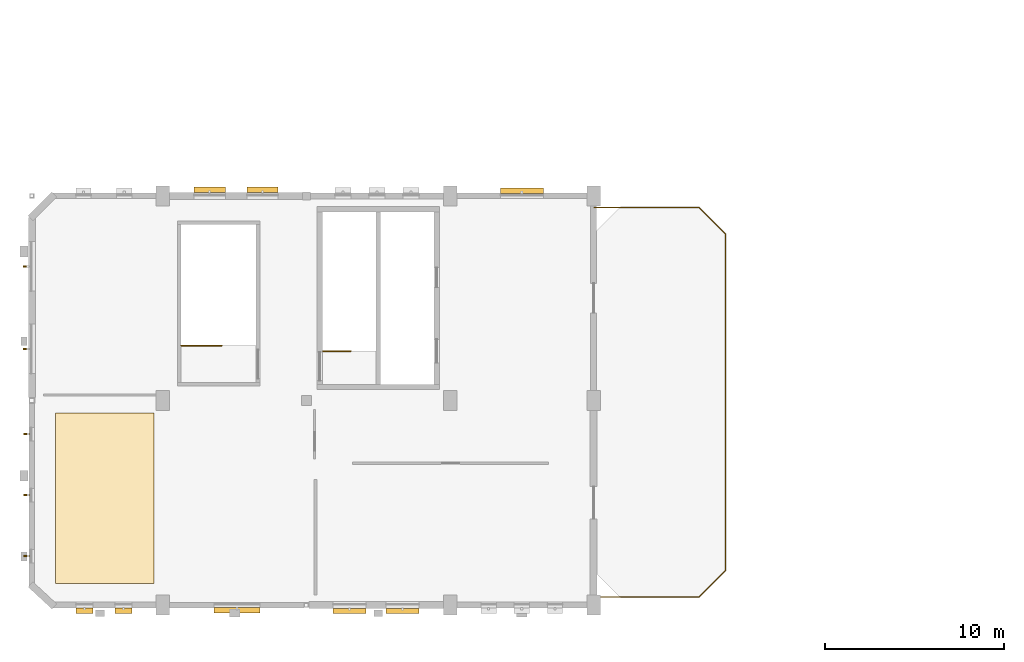
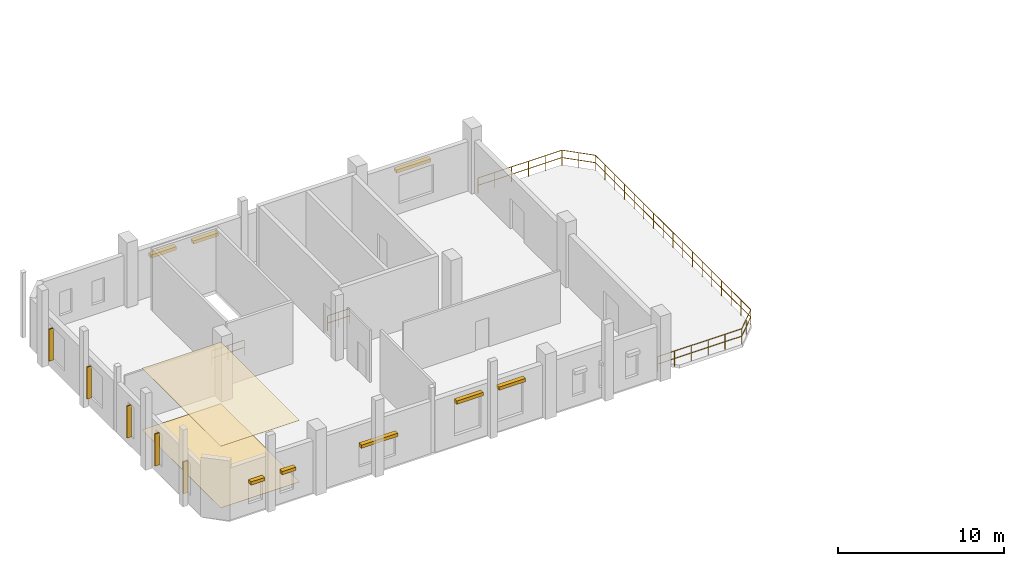
# One storey, part 27 of 28: 13 shading devices, 3 railings, 2 coverings.
"""IFC4 building model written with IfcOpenShell, lengths in metres."""

from ifc_helpers import new_model, si_unit, direction, frame, origin, origin_2d, place, context, subcontext, project, spatial, polyline, rectangle, circle, outline, extrude, material, layer, layer_set, type_object, element, save


model = new_model("IFC4")

# Units and contexts
model_context = context("Model", 3, precision=1e-05, world=origin(), true_north=direction((0.0, 1.0)))
body_context = subcontext(model_context, "Body", "Model", "MODEL_VIEW")
ifc_project = project(units=[si_unit("LENGTHUNIT", "METRE"), si_unit("AREAUNIT", "SQUARE_METRE"), si_unit("VOLUMEUNIT", "CUBIC_METRE"), si_unit("PLANEANGLEUNIT", "RADIAN"), si_unit("MASSUNIT", "GRAM", prefix="KILO"), si_unit("POWERUNIT", "WATT"), si_unit("THERMODYNAMICTEMPERATUREUNIT", "KELVIN")], contexts=[model_context])

# Site, building, storey
site_placement = place(None, origin())
site = spatial("IfcSite", under=ifc_project, at=site_placement, CompositionType="ELEMENT")
building_placement = place(site_placement, origin())
building = spatial("IfcBuilding", under=site, at=building_placement, Name="Kelmbourne Parkland Aquatics Centre", CompositionType="ELEMENT")
storey_placement = place(building_placement, frame((0.0, 0.0, 19.199951171875)))
storey = spatial("IfcBuildingStorey", under=building, at=storey_placement, Name="L04", CompositionType="ELEMENT", Elevation=19.199951171875)

# Coverings
ifc_material_1 = material(Name="Moisture-resistant acoustic mineral-fibre baffle ceiling", Category="gypsum")
ifc_layer_1 = layer(ifc_material_1, 0.02490234375)
ifc_layer_set_1 = layer_set([ifc_layer_1], Name="Moisture-resistant acoustic mineral-fibre baffle ceiling")
covering_type_1 = type_object("IfcCoveringType", Name="COV-CLG-AC", PredefinedType="CEILING", material=ifc_layer_set_1)
covering_1_placement = place(storey_placement, frame((0.0, 0.0, 4.53515625)))
element("IfcCovering", 1, at=covering_1_placement, inside=storey, type_object=covering_type_1, Name="FireCommand acoustic ceiling baffles", PredefinedType="CEILING", context=body_context, shape_type="SweptSolid", body=[
    extrude(outline(polyline([(2.0, 2.0), (7.5, 2.0), (7.5, 11.5), (2.0, 11.5), (2.0, 2.0)])), origin(), (0.0, 0.0, 1.0), 0.02490234375),
])
ifc_material_2 = material(Name="Anti-slip vitrified ceramic aquatic deck tile", Category="ceramic")
ifc_layer_2 = layer(ifc_material_2, 0.02001953125)
ifc_layer_set_2 = layer_set([ifc_layer_2], Name="Anti-slip vitrified ceramic aquatic deck tile")
covering_type_2 = type_object("IfcCoveringType", Name="COV-FLR-TILE", PredefinedType="FLOORING", material=ifc_layer_set_2)
covering_2_placement = place(storey_placement, origin())
element("IfcCovering", 2, at=covering_2_placement, inside=storey, type_object=covering_type_2, Name="FireCommand anti-slip floor tiling", PredefinedType="FLOORING", context=body_context, shape_type="SweptSolid", body=[
    extrude(outline(polyline([(2.0, 2.0), (7.5, 2.0), (7.5, 11.5), (2.0, 11.5), (2.0, 2.0)])), origin(), (0.0, 0.0, 1.0), 0.02001953125),
])

# Railings
ifc_material_3 = material(Name="Grade 316 stainless steel and laminated glass balustrade", Category="glass")
ifc_layer_3 = layer(ifc_material_3, 0.06005859375)
ifc_layer_set_3 = layer_set([ifc_layer_3], Name="Grade 316 stainless steel and laminated glass balustrade")
railing_type_1 = type_object("IfcRailingType", Name="RL-BL-114", PredefinedType="BALUSTRADE", material=ifc_layer_set_3)
railing_1_placement = place(storey_placement, frame((32.02001953125, 1.25, 0.0)))
element("IfcRailing", 3, at=railing_1_placement, inside=storey, type_object=railing_type_1, Name="Safety balustrade BAL-TER-L04-V5", PredefinedType="BALUSTRADE", context=body_context, shape_type="SweptSolid", body=[
    extrude(circle(Radius=0.02392578125, at=origin_2d()), frame((0.0, 0.0, 1.11572265625), z_axis=(1.0, 0.0, 0.0), x_axis=(0.0, 1.0, 0.0)), (0.0, 0.0, 1.0), 5.85986328125),
    extrude(circle(Radius=0.02392578125, at=origin_2d()), frame((0.0, 0.0, 0.56982421875), z_axis=(1.0, 0.0, 0.0), x_axis=(0.0, 1.0, 0.0)), (0.0, 0.0, 1.0), 5.85986328125),
    extrude(circle(Radius=0.02392578125, at=origin_2d()), frame((5.85986328125, 0.0, 1.11572265625), z_axis=(0.707165493918, 0.70704806358, 0.0), x_axis=(-0.70704806358, 0.707165493918, 0.0)), (0.0, 0.0, 1.0), 2.0791015625),
    extrude(circle(Radius=0.02392578125, at=origin_2d()), frame((5.85986328125, 0.0, 0.56982421875), z_axis=(0.707165493918, 0.70704806358, 0.0), x_axis=(-0.70704806358, 0.707165493918, 0.0)), (0.0, 0.0, 1.0), 2.0791015625),
    extrude(circle(Radius=0.02392578125, at=origin_2d()), frame((7.330078125, 1.469970703125, 1.11572265625), z_axis=(0.0, 1.0, 0.0), x_axis=(-1.0, 0.0, 0.0)), (0.0, 0.0, 1.0), 18.760009765625),
    extrude(circle(Radius=0.02392578125, at=origin_2d()), frame((7.330078125, 1.469970703125, 0.56982421875), z_axis=(0.0, 1.0, 0.0), x_axis=(-1.0, 0.0, 0.0)), (0.0, 0.0, 1.0), 18.760009765625),
    extrude(circle(Radius=0.02392578125, at=origin_2d()), frame((7.330078125, 20.22998046875, 1.11572265625), z_axis=(-0.707165493918, 0.70704806358, 0.0), x_axis=(-0.70704806358, -0.707165493918, 0.0)), (0.0, 0.0, 1.0), 2.0791015625),
    extrude(circle(Radius=0.02392578125, at=origin_2d()), frame((7.330078125, 20.22998046875, 0.56982421875), z_axis=(-0.707165493918, 0.70704806358, 0.0), x_axis=(-0.70704806358, -0.707165493918, 0.0)), (0.0, 0.0, 1.0), 2.0791015625),
    extrude(circle(Radius=0.02392578125, at=origin_2d()), frame((5.85986328125, 21.699951171875, 1.11572265625), z_axis=(-1.0, 0.0, 0.0), x_axis=(0.0, -1.0, 0.0)), (0.0, 0.0, 1.0), 5.85986328125),
    extrude(circle(Radius=0.02392578125, at=origin_2d()), frame((5.85986328125, 21.699951171875, 0.56982421875), z_axis=(-1.0, 0.0, 0.0), x_axis=(0.0, -1.0, 0.0)), (0.0, 0.0, 1.0), 5.85986328125),
    extrude(circle(Radius=0.02099609375, at=origin_2d()), origin(), (0.0, 0.0, 1.0), 1.091796875),
    extrude(circle(Radius=0.02099609375, at=origin_2d()), frame((1.171875, 0.0, 0.0)), (0.0, 0.0, 1.0), 1.091796875),
    extrude(circle(Radius=0.02099609375, at=origin_2d()), frame((2.343994140625, 0.0, 0.0)), (0.0, 0.0, 1.0), 1.091796875),
    extrude(circle(Radius=0.02099609375, at=origin_2d()), frame((3.515869140625, 0.0, 0.0)), (0.0, 0.0, 1.0), 1.091796875),
    extrude(circle(Radius=0.02099609375, at=origin_2d()), frame((4.68798828125, 0.0, 0.0)), (0.0, 0.0, 1.0), 1.091796875),
    extrude(circle(Radius=0.02099609375, at=origin_2d()), frame((5.85986328125, 0.0, 0.0)), (0.0, 0.0, 1.0), 1.091796875),
    extrude(circle(Radius=0.02099609375, at=origin_2d()), frame((6.594970703125, 0.73486328125, 0.0)), (0.0, 0.0, 1.0), 1.091796875),
    extrude(circle(Radius=0.02099609375, at=origin_2d()), frame((7.330078125, 1.469970703125, 0.0)), (0.0, 0.0, 1.0), 1.091796875),
    extrude(circle(Radius=0.02099609375, at=origin_2d()), frame((7.330078125, 2.642578125, 0.0)), (0.0, 0.0, 1.0), 1.091796875),
    extrude(circle(Radius=0.02099609375, at=origin_2d()), frame((7.330078125, 3.81494140625, 0.0)), (0.0, 0.0, 1.0), 1.091796875),
    extrude(circle(Radius=0.02099609375, at=origin_2d()), frame((7.330078125, 4.987548828125, 0.0)), (0.0, 0.0, 1.0), 1.091796875),
    extrude(circle(Radius=0.02099609375, at=origin_2d()), frame((7.330078125, 6.159912109375, 0.0)), (0.0, 0.0, 1.0), 1.091796875),
    extrude(circle(Radius=0.02099609375, at=origin_2d()), frame((7.330078125, 7.33251953125, 0.0)), (0.0, 0.0, 1.0), 1.091796875),
    extrude(circle(Radius=0.02099609375, at=origin_2d()), frame((7.330078125, 8.5048828125, 0.0)), (0.0, 0.0, 1.0), 1.091796875),
    extrude(circle(Radius=0.02099609375, at=origin_2d()), frame((7.330078125, 9.677490234375, 0.0)), (0.0, 0.0, 1.0), 1.091796875),
    extrude(circle(Radius=0.02099609375, at=origin_2d()), frame((7.330078125, 10.85009765625, 0.0)), (0.0, 0.0, 1.0), 1.091796875),
    extrude(circle(Radius=0.02099609375, at=origin_2d()), frame((7.330078125, 12.0224609375, 0.0)), (0.0, 0.0, 1.0), 1.091796875),
    extrude(circle(Radius=0.02099609375, at=origin_2d()), frame((7.330078125, 13.195068359375, 0.0)), (0.0, 0.0, 1.0), 1.091796875),
    extrude(circle(Radius=0.02099609375, at=origin_2d()), frame((7.330078125, 14.367431640625, 0.0)), (0.0, 0.0, 1.0), 1.091796875),
    extrude(circle(Radius=0.02099609375, at=origin_2d()), frame((7.330078125, 15.5400390625, 0.0)), (0.0, 0.0, 1.0), 1.091796875),
    extrude(circle(Radius=0.02099609375, at=origin_2d()), frame((7.330078125, 16.71240234375, 0.0)), (0.0, 0.0, 1.0), 1.091796875),
    extrude(circle(Radius=0.02099609375, at=origin_2d()), frame((7.330078125, 17.885009765625, 0.0)), (0.0, 0.0, 1.0), 1.091796875),
    extrude(circle(Radius=0.02099609375, at=origin_2d()), frame((7.330078125, 19.057373046875, 0.0)), (0.0, 0.0, 1.0), 1.091796875),
    extrude(circle(Radius=0.02099609375, at=origin_2d()), frame((7.330078125, 20.22998046875, 0.0)), (0.0, 0.0, 1.0), 1.091796875),
    extrude(circle(Radius=0.02099609375, at=origin_2d()), frame((6.594970703125, 20.96484375, 0.0)), (0.0, 0.0, 1.0), 1.091796875),
    extrude(circle(Radius=0.02099609375, at=origin_2d()), frame((5.85986328125, 21.699951171875, 0.0)), (0.0, 0.0, 1.0), 1.091796875),
    extrude(circle(Radius=0.02099609375, at=origin_2d()), frame((4.68798828125, 21.699951171875, 0.0)), (0.0, 0.0, 1.0), 1.091796875),
    extrude(circle(Radius=0.02099609375, at=origin_2d()), frame((3.515869140625, 21.699951171875, 0.0)), (0.0, 0.0, 1.0), 1.091796875),
    extrude(circle(Radius=0.02099609375, at=origin_2d()), frame((2.343994140625, 21.699951171875, 0.0)), (0.0, 0.0, 1.0), 1.091796875),
    extrude(circle(Radius=0.02099609375, at=origin_2d()), frame((1.171875, 21.699951171875, 0.0)), (0.0, 0.0, 1.0), 1.091796875),
    extrude(circle(Radius=0.02099609375, at=origin_2d()), frame((0.0, 21.699951171875, 0.0)), (0.0, 0.0, 1.0), 1.091796875),
])
ifc_material_4 = material(Name="Grade 316 marine stainless steel", Category="steel")
railing_type_2 = type_object("IfcRailingType", Name="RL-GD-112", PredefinedType="GUARDRAIL", material=ifc_material_4)
railing_2_placement = place(storey_placement, frame((16.919921875, 14.949951171875, 0.0)))
element("IfcRailing", 4, at=railing_2_placement, inside=storey, type_object=railing_type_2, Name="West Wing South Fire-Fighting Core Stair ST01 top well guardrail", PredefinedType="GUARDRAIL", context=body_context, shape_type="SweptSolid", body=[
    extrude(circle(Radius=0.02392578125, at=origin_2d()), frame((0.0, 0.0, 1.09619140625), z_axis=(1.0, 0.0, 0.0), x_axis=(0.0, 1.0, 0.0)), (0.0, 0.0, 1.0), 1.547607421875),
    extrude(circle(Radius=0.02392578125, at=origin_2d()), frame((0.0, 0.0, 0.56005859375), z_axis=(1.0, 0.0, 0.0), x_axis=(0.0, 1.0, 0.0)), (0.0, 0.0, 1.0), 1.547607421875),
    extrude(circle(Radius=0.02099609375, at=origin_2d()), origin(), (0.0, 0.0, 1.0), 1.072021484375),
    extrude(circle(Radius=0.02099609375, at=origin_2d()), frame((0.77392578125, 0.0, 0.0)), (0.0, 0.0, 1.0), 1.072021484375),
    extrude(circle(Radius=0.02099609375, at=origin_2d()), frame((1.547607421875, 0.0, 0.0)), (0.0, 0.0, 1.0), 1.072021484375),
])
railing_3_placement = place(storey_placement, frame((9.02001953125, 15.25, 0.0)))
element("IfcRailing", 5, at=railing_3_placement, inside=storey, type_object=railing_type_2, Name="West South Perimeter Exit Stair top well guardrail", PredefinedType="GUARDRAIL", context=body_context, shape_type="SweptSolid", body=[
    extrude(circle(Radius=0.02392578125, at=origin_2d()), frame((0.0, 0.0, 1.09619140625), z_axis=(1.0, 0.0, 0.0), x_axis=(0.0, 1.0, 0.0)), (0.0, 0.0, 1.0), 2.260009765625),
    extrude(circle(Radius=0.02392578125, at=origin_2d()), frame((0.0, 0.0, 0.56005859375), z_axis=(1.0, 0.0, 0.0), x_axis=(0.0, 1.0, 0.0)), (0.0, 0.0, 1.0), 2.260009765625),
    extrude(circle(Radius=0.02099609375, at=origin_2d()), origin(), (0.0, 0.0, 1.0), 1.072021484375),
    extrude(circle(Radius=0.02099609375, at=origin_2d()), frame((1.1298828125, 0.0, 0.0)), (0.0, 0.0, 1.0), 1.072021484375),
    extrude(circle(Radius=0.02099609375, at=origin_2d()), frame((2.260009765625, 0.0, 0.0)), (0.0, 0.0, 1.0), 1.072021484375),
])

# Shading devices
ifc_material_5 = material(Name="Architectural extruded terracotta baguettes", Category="masonry")
shading_device_type_1 = type_object("IfcShadingDeviceType", Name="SHD-FIN-1", PredefinedType="USERDEFINED", material=ifc_material_5)
for number, where, z_axis, x_axis, name in (
    (6, (0.405029296875, 3.52490234375, 0.75), (0.0, 0.0, 1.0), (0.0, 1.0, 0.0), "Terracotta vertical solar fin 194"),
    (7, (0.405029296875, 6.924072265625, 0.75), (0.0, 0.0, 1.0), (0.0, 1.0, 0.0), "Terracotta vertical solar fin 195"),
    (8, (0.405029296875, 10.322998046875, 0.75), (0.0, 0.0, 1.0), (0.0, 1.0, 0.0), "Terracotta vertical solar fin 196"),
    (9, (0.364990234375, 15.076904296875, 0.75), (0.0, 0.0, 1.0), (0.0, 1.0, 0.0), "Terracotta vertical solar fin 197"),
    (10, (0.364990234375, 19.675048828125, 0.75), (0.0, 0.0, 1.0), (0.0, 1.0, 0.0), "Terracotta vertical solar fin 198"),
):
    element("IfcShadingDevice", number, at=place(storey_placement, frame(where, z_axis=z_axis, x_axis=x_axis)), inside=storey, type_object=shading_device_type_1, Name=name, ObjectType="SOLAR FIN", PredefinedType="USERDEFINED", context=body_context, shape_type="SweptSolid", body=[
        extrude(rectangle(XDim=0.080078125, YDim=0.320068359375, at=origin_2d()), origin(), (0.0, 0.0, 1.0), 2.35009765625),
    ])
shading_device_type_2 = type_object("IfcShadingDeviceType", Name="SHD-JAL-1", PredefinedType="JALOUSIE", material=ifc_material_5)
for number, where, z_axis, x_axis, name in (
    (11, (3.625, 0.485107421875, 2.30029296875), (0.0, 0.0, 1.0), (1.0, 0.0, 0.0), "Terracotta horizontal jalousie hood 199"),
    (12, (5.798095703125, 0.485107421875, 2.30029296875), (0.0, 0.0, 1.0), (1.0, 0.0, 0.0), "Terracotta horizontal jalousie hood 200"),
):
    element("IfcShadingDevice", number, at=place(storey_placement, frame(where, z_axis=z_axis, x_axis=x_axis)), inside=storey, type_object=shading_device_type_2, Name=name, PredefinedType="JALOUSIE", context=body_context, shape_type="SweptSolid", body=[
        extrude(rectangle(XDim=0.949951171875, YDim=0.300048828125, at=origin_2d()), origin(), (0.0, 0.0, 1.0), 0.239990234375),
    ])
shading_device_1_placement = place(storey_placement, frame((12.125, 0.5048828125, 2.30029296875), z_axis=(0.0, 0.0, 1.0), x_axis=(1.0, 0.0, 0.0)))
element("IfcShadingDevice", 13, at=shading_device_1_placement, inside=storey, type_object=shading_device_type_2, Name="Terracotta horizontal jalousie hood 201", PredefinedType="JALOUSIE", context=body_context, shape_type="SweptSolid", body=[
    extrude(rectangle(XDim=2.550048828125, YDim=0.300048828125, at=origin_2d()), origin(), (0.0, 0.0, 1.0), 0.239990234375),
])
for number, where, z_axis, x_axis, name in (
    (14, (18.402099609375, 0.465087890625, 3.25), (0.0, 0.0, 1.0), (1.0, 0.0, 0.0), "Terracotta horizontal jalousie hood 202"),
    (15, (21.347900390625, 0.465087890625, 3.25), (0.0, 0.0, 1.0), (1.0, 0.0, 0.0), "Terracotta horizontal jalousie hood 203"),
):
    element("IfcShadingDevice", number, at=place(storey_placement, frame(where, z_axis=z_axis, x_axis=x_axis)), inside=storey, type_object=shading_device_type_2, Name=name, PredefinedType="JALOUSIE", context=body_context, shape_type="SweptSolid", body=[
        extrude(rectangle(XDim=1.85009765625, YDim=0.300048828125, at=origin_2d()), origin(), (0.0, 0.0, 1.0), 0.239990234375),
    ])
for number, where, z_axis, x_axis, name in (
    (16, (10.60205078125, 23.93505859375, 2.5), (0.0, 0.0, 1.0), (1.0, 0.0, 0.0), "Terracotta horizontal jalousie hood 209"),
    (17, (13.548095703125, 23.93505859375, 2.5), (0.0, 0.0, 1.0), (1.0, 0.0, 0.0), "Terracotta horizontal jalousie hood 210"),
):
    element("IfcShadingDevice", number, at=place(storey_placement, frame(where, z_axis=z_axis, x_axis=x_axis)), inside=storey, type_object=shading_device_type_2, Name=name, PredefinedType="JALOUSIE", context=body_context, shape_type="SweptSolid", body=[
        extrude(rectangle(XDim=1.75, YDim=0.300048828125, at=origin_2d()), origin(), (0.0, 0.0, 1.0), 0.239990234375),
    ])
shading_device_2_placement = place(storey_placement, frame((28.0, 23.89501953125, 2.80029296875), z_axis=(0.0, 0.0, 1.0), x_axis=(1.0, 0.0, 0.0)))
element("IfcShadingDevice", 18, at=shading_device_2_placement, inside=storey, type_object=shading_device_type_2, Name="Terracotta horizontal jalousie hood 214", PredefinedType="JALOUSIE", context=body_context, shape_type="SweptSolid", body=[
    extrude(rectangle(XDim=2.39990234375, YDim=0.300048828125, at=origin_2d()), origin(), (0.0, 0.0, 1.0), 0.239990234375),
])

save(model, "model.ifc")
